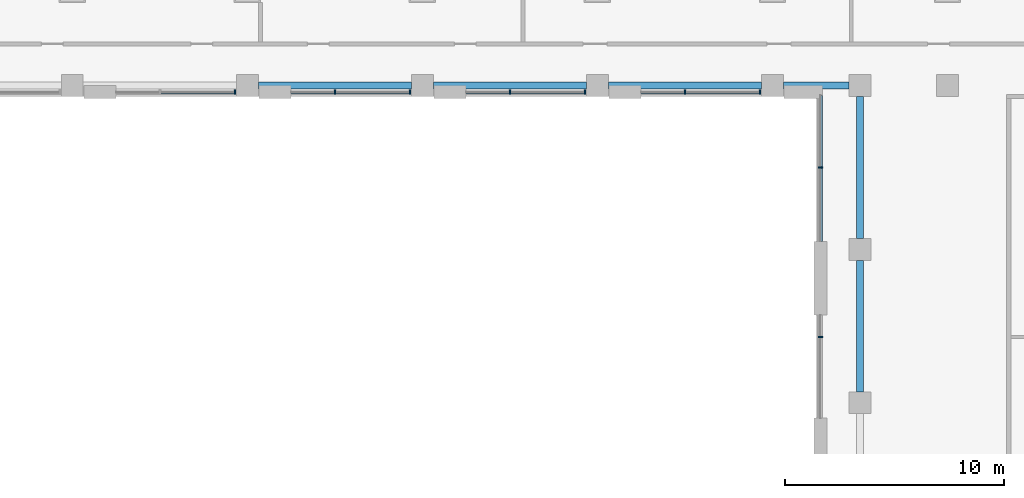
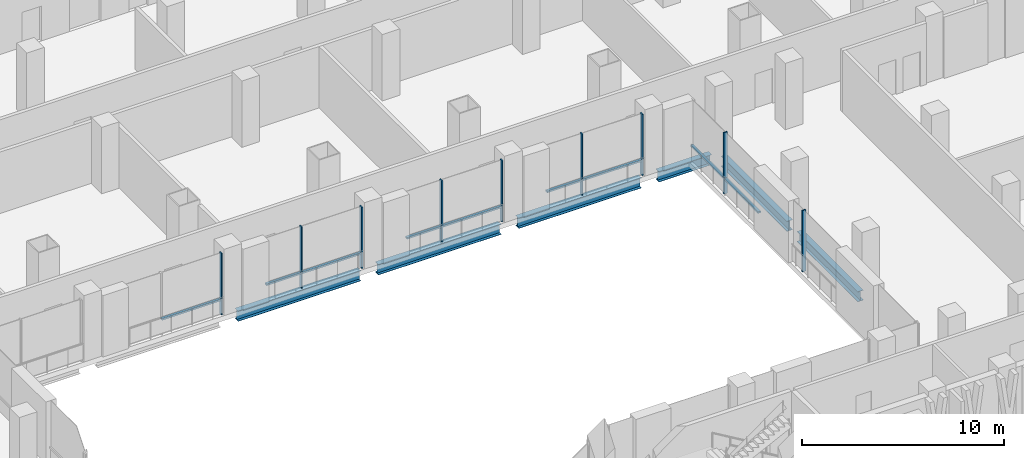
# One storey, part 4 of 26: 18 members, 6 beams, 6 elements without a shape of their own.
"""IFC4 building model written with IfcOpenShell, lengths in metres."""

from ifc_helpers import new_model, si_unit, direction, frame, origin, origin_2d, place, context, subcontext, project, spatial, rectangle, i_section, extrude, material, material_profile, profile_set, type_object, element, aggregate, save


model = new_model("IFC4")

# Units and contexts
model_context = context("Model", 3, precision=1e-05, world=origin(), true_north=direction((0.0, 1.0)))
body_context = subcontext(model_context, "Body", "Model", "MODEL_VIEW")
ifc_project = project(units=[si_unit("LENGTHUNIT", "METRE"), si_unit("AREAUNIT", "SQUARE_METRE"), si_unit("VOLUMEUNIT", "CUBIC_METRE"), si_unit("PLANEANGLEUNIT", "RADIAN"), si_unit("MASSUNIT", "GRAM", prefix="KILO")], contexts=[model_context])

# Site, building, storey
site_placement = place(None, origin())
site = spatial("IfcSite", under=ifc_project, at=site_placement, CompositionType="ELEMENT")
building_placement = place(site_placement, origin())
building = spatial("IfcBuilding", under=site, at=building_placement, Name="Vidyagriha Tower", CompositionType="ELEMENT")
storey_placement = place(building_placement, frame((0.0, 0.0, 6.0)))
storey = spatial("IfcBuildingStorey", under=building, at=storey_placement, Name="L01", CompositionType="ELEMENT", Elevation=6.0)

# Beams
ifc_material_1 = material(Name="Steel ASTM A992 Grade 50", Category="steel")
ifc_material_profile_1 = material_profile(ifc_material_1, i_section(OverallWidth=0.32373046875, OverallDepth=0.612060546875, WebThickness=0.0126953125, FlangeThickness=0.01904296875, at=origin_2d()), Name="W24X104")
ifc_profile_set_1 = profile_set([ifc_material_profile_1], Name="Steel ASTM A992 Grade 50")
beam_type = type_object("IfcBeamType", Name="Atrium edge beam W24X104", PredefinedType="BEAM", material=ifc_profile_set_1)
for number, where, z_axis, x_axis, name in (
    (1, (-5.5, -21.5, -0.60595703125), (1.0, 0.0, 0.0), (0.0, 1.0, 0.0), "st-beam-L01-AT09"),
    (2, (2.5, -21.5, -0.60595703125), (1.0, 0.0, 0.0), (0.0, 1.0, 0.0), "st-beam-L01-AT10"),
    (3, (10.5, -21.5, -0.60595703125), (1.0, 0.0, 0.0), (0.0, 1.0, 0.0), "st-beam-L01-AT11"),
):
    element("IfcBeam", number, at=place(storey_placement, frame(where, z_axis=z_axis, x_axis=x_axis)), inside=storey, type_object=beam_type, Name=name, PredefinedType="BEAM", context=body_context, shape_type="SweptSolid", body=[
        extrude(i_section(OverallWidth=0.32373046875, OverallDepth=0.612060546875, WebThickness=0.0126953125, FlangeThickness=0.01904296875, at=origin_2d()), origin(), (0.0, 0.0, 1.0), 7.0),
    ])
beam_1_placement = place(storey_placement, frame((18.5, -21.5, -0.60595703125), z_axis=(1.0, 0.0, 0.0), x_axis=(0.0, 1.0, 0.0)))
element("IfcBeam", 4, at=beam_1_placement, inside=storey, type_object=beam_type, Name="st-beam-L01-AT12", PredefinedType="BEAM", context=body_context, shape_type="SweptSolid", body=[
    extrude(i_section(OverallWidth=0.32373046875, OverallDepth=0.612060546875, WebThickness=0.0126953125, FlangeThickness=0.01904296875, at=origin_2d()), origin(), (0.0, 0.0, 1.0), 3.0),
])
beam_2_placement = place(storey_placement, frame((22.0, -35.5, -0.60595703125), z_axis=(0.0, 1.0, 0.0), x_axis=(-1.0, 0.0, 0.0)))
element("IfcBeam", 5, at=beam_2_placement, inside=storey, type_object=beam_type, Name="st-beam-L01-AT17", PredefinedType="BEAM", context=body_context, shape_type="SweptSolid", body=[
    extrude(i_section(OverallWidth=0.32373046875, OverallDepth=0.612060546875, WebThickness=0.0126953125, FlangeThickness=0.01904296875, at=origin_2d()), origin(), (0.0, 0.0, 1.0), 6.0),
])
beam_3_placement = place(storey_placement, frame((22.0, -28.5, -0.60595703125), z_axis=(0.0, 1.0, 0.0), x_axis=(-1.0, 0.0, 0.0)))
element("IfcBeam", 6, at=beam_3_placement, inside=storey, type_object=beam_type, Name="st-beam-L01-AT18", PredefinedType="BEAM", context=body_context, shape_type="SweptSolid", body=[
    extrude(i_section(OverallWidth=0.32373046875, OverallDepth=0.612060546875, WebThickness=0.0126953125, FlangeThickness=0.01904296875, at=origin_2d()), origin(), (0.0, 0.0, 1.0), 6.5),
])

# Curtain wall, member
ifc_material_2 = material(Name="Aluminium and glass curtain wall", Category="aluminium")
curtain_wall_type = type_object("IfcCurtainWallType", Name="Atrium screen curtain wall", PredefinedType="USERDEFINED", material=ifc_material_2)
curtain_wall_1_placement = place(storey_placement, origin())
curtain_wall_1 = element("IfcCurtainWall", 7, at=curtain_wall_1_placement, inside=storey, type_object=curtain_wall_type, Name="CW6 atrium screen", ObjectType="UNITISED", PredefinedType="USERDEFINED")
ifc_material_3 = material(Name="Aluminium black anodised", Category="aluminium")
ifc_material_profile_2 = material_profile(ifc_material_3, rectangle(XDim=0.199951171875, YDim=0.070068359375, at=origin_2d()), Name="Mullion 70x200 black aluminium")
ifc_profile_set_2 = profile_set([ifc_material_profile_2], Name="Aluminium black anodised")
member_type_1 = type_object("IfcMemberType", Name="Mullion 70x200 black aluminium", PredefinedType="MULLION", material=ifc_profile_set_2)
member_1_placement = place(storey_placement, frame((-6.56494140625, -21.800048828125, 0.0), z_axis=(0.0, 0.0, 1.0), x_axis=(0.0, 1.0, 0.0)))
member_1 = element("IfcMember", 8, at=member_1_placement, type_object=member_type_1, Name="CW6 mullion 3", PredefinedType="MULLION", context=body_context, shape_type="SweptSolid", body=[
    extrude(rectangle(XDim=0.199951171875, YDim=0.070068359375, at=origin_2d()), origin(), (0.0, 0.0, 1.0), 3.699951171875),
])

# Curtain wall, members
curtain_wall_2_placement = place(storey_placement, origin())
curtain_wall_2 = element("IfcCurtainWall", 9, at=curtain_wall_2_placement, inside=storey, type_object=curtain_wall_type, Name="CW6 atrium screen", ObjectType="UNITISED", PredefinedType="USERDEFINED")
member_2_placement = place(storey_placement, frame((-2.0, -21.800048828125, 0.0), z_axis=(0.0, 0.0, 1.0), x_axis=(0.0, 1.0, 0.0)))
member_2 = element("IfcMember", 10, at=member_2_placement, type_object=member_type_1, Name="CW6 mullion 2", PredefinedType="MULLION", context=body_context, shape_type="SweptSolid", body=[
    extrude(rectangle(XDim=0.199951171875, YDim=0.070068359375, at=origin_2d()), origin(), (0.0, 0.0, 1.0), 3.699951171875),
])
member_3_placement = place(storey_placement, frame((1.43505859375, -21.800048828125, 0.0), z_axis=(0.0, 0.0, 1.0), x_axis=(0.0, 1.0, 0.0)))
member_3 = element("IfcMember", 11, at=member_3_placement, type_object=member_type_1, Name="CW6 mullion 3", PredefinedType="MULLION", context=body_context, shape_type="SweptSolid", body=[
    extrude(rectangle(XDim=0.199951171875, YDim=0.070068359375, at=origin_2d()), origin(), (0.0, 0.0, 1.0), 3.699951171875),
])

curtain_wall_3_placement = place(storey_placement, origin())
curtain_wall_3 = element("IfcCurtainWall", 12, at=curtain_wall_3_placement, inside=storey, type_object=curtain_wall_type, Name="CW6 atrium screen", ObjectType="UNITISED", PredefinedType="USERDEFINED")
member_4_placement = place(storey_placement, frame((6.0, -21.800048828125, 0.0), z_axis=(0.0, 0.0, 1.0), x_axis=(0.0, 1.0, 0.0)))
member_4 = element("IfcMember", 13, at=member_4_placement, type_object=member_type_1, Name="CW6 mullion 2", PredefinedType="MULLION", context=body_context, shape_type="SweptSolid", body=[
    extrude(rectangle(XDim=0.199951171875, YDim=0.070068359375, at=origin_2d()), origin(), (0.0, 0.0, 1.0), 3.699951171875),
])
member_5_placement = place(storey_placement, frame((9.43505859375, -21.800048828125, 0.0), z_axis=(0.0, 0.0, 1.0), x_axis=(0.0, 1.0, 0.0)))
member_5 = element("IfcMember", 14, at=member_5_placement, type_object=member_type_1, Name="CW6 mullion 3", PredefinedType="MULLION", context=body_context, shape_type="SweptSolid", body=[
    extrude(rectangle(XDim=0.199951171875, YDim=0.070068359375, at=origin_2d()), origin(), (0.0, 0.0, 1.0), 3.699951171875),
])

curtain_wall_4_placement = place(storey_placement, origin())
curtain_wall_4 = element("IfcCurtainWall", 15, at=curtain_wall_4_placement, inside=storey, type_object=curtain_wall_type, Name="CW6 atrium screen", ObjectType="UNITISED", PredefinedType="USERDEFINED")
member_6_placement = place(storey_placement, frame((14.0, -21.800048828125, 0.0), z_axis=(0.0, 0.0, 1.0), x_axis=(0.0, 1.0, 0.0)))
member_6 = element("IfcMember", 16, at=member_6_placement, type_object=member_type_1, Name="CW6 mullion 2", PredefinedType="MULLION", context=body_context, shape_type="SweptSolid", body=[
    extrude(rectangle(XDim=0.199951171875, YDim=0.070068359375, at=origin_2d()), origin(), (0.0, 0.0, 1.0), 3.699951171875),
])
member_7_placement = place(storey_placement, frame((17.43505859375, -21.800048828125, 0.0), z_axis=(0.0, 0.0, 1.0), x_axis=(0.0, 1.0, 0.0)))
member_7 = element("IfcMember", 17, at=member_7_placement, type_object=member_type_1, Name="CW6 mullion 3", PredefinedType="MULLION", context=body_context, shape_type="SweptSolid", body=[
    extrude(rectangle(XDim=0.199951171875, YDim=0.070068359375, at=origin_2d()), origin(), (0.0, 0.0, 1.0), 3.699951171875),
])

# Curtain wall, member
curtain_wall_5_placement = place(storey_placement, origin())
curtain_wall_5 = element("IfcCurtainWall", 18, at=curtain_wall_5_placement, inside=storey, type_object=curtain_wall_type, Name="CW6 atrium screen", ObjectType="UNITISED", PredefinedType="USERDEFINED")
member_8_placement = place(storey_placement, frame((20.199951171875, -25.25341796875, 0.0)))
member_8 = element("IfcMember", 19, at=member_8_placement, type_object=member_type_1, Name="CW6 mullion 2", PredefinedType="MULLION", context=body_context, shape_type="SweptSolid", body=[
    extrude(rectangle(XDim=0.199951171875, YDim=0.070068359375, at=origin_2d()), origin(), (0.0, 0.0, 1.0), 3.699951171875),
])

curtain_wall_6_placement = place(storey_placement, origin())
curtain_wall_6 = element("IfcCurtainWall", 20, at=curtain_wall_6_placement, inside=storey, type_object=curtain_wall_type, Name="CW6 atrium screen", ObjectType="UNITISED", PredefinedType="USERDEFINED")
member_9_placement = place(storey_placement, frame((20.199951171875, -33.0, 0.0)))
member_9 = element("IfcMember", 21, at=member_9_placement, type_object=member_type_1, Name="CW6 mullion 2", PredefinedType="MULLION", context=body_context, shape_type="SweptSolid", body=[
    extrude(rectangle(XDim=0.199951171875, YDim=0.070068359375, at=origin_2d()), origin(), (0.0, 0.0, 1.0), 3.699951171875),
])
aggregate(curtain_wall_6, [member_9])

# Member
ifc_material_4 = material(Name="Aluminium black anodised", Category="aluminium")
ifc_material_profile_3 = material_profile(ifc_material_4, rectangle(XDim=0.159912109375, YDim=0.10009765625, at=origin_2d()), Name="Transom 100x160 black aluminium")
ifc_profile_set_3 = profile_set([ifc_material_profile_3], Name="Aluminium black anodised")
member_type_2 = type_object("IfcMemberType", Name="Transom 100x160 black aluminium", PredefinedType="USERDEFINED", material=ifc_profile_set_3)
member_10_placement = place(storey_placement, frame((-9.965087890625, -21.800048828125, 0.89990234375), z_axis=(1.0, 0.0, 0.0), x_axis=(0.0, 1.0, 0.0)))
member_10 = element("IfcMember", 22, at=member_10_placement, type_object=member_type_2, Name="CW6 transom 2.1", ObjectType="TRANSOM", PredefinedType="USERDEFINED", context=body_context, shape_type="SweptSolid", body=[
    extrude(rectangle(XDim=0.159912109375, YDim=0.10009765625, at=origin_2d()), origin(), (0.0, 0.0, 1.0), 3.364990234375),
])

aggregate(curtain_wall_1, [member_1, member_10])

member_11_placement = place(storey_placement, frame((-4.0, -21.800048828125, 0.89990234375), z_axis=(1.0, 0.0, 0.0), x_axis=(0.0, 1.0, 0.0)))
member_11 = element("IfcMember", 23, at=member_11_placement, type_object=member_type_2, Name="CW6 transom 1.1", ObjectType="TRANSOM", PredefinedType="USERDEFINED", context=body_context, shape_type="SweptSolid", body=[
    extrude(rectangle(XDim=0.159912109375, YDim=0.10009765625, at=origin_2d()), origin(), (0.0, 0.0, 1.0), 1.965087890625),
])

member_12_placement = place(storey_placement, frame((-1.965087890625, -21.800048828125, 0.89990234375), z_axis=(1.0, 0.0, 0.0), x_axis=(0.0, 1.0, 0.0)))
member_12 = element("IfcMember", 24, at=member_12_placement, type_object=member_type_2, Name="CW6 transom 2.1", ObjectType="TRANSOM", PredefinedType="USERDEFINED", context=body_context, shape_type="SweptSolid", body=[
    extrude(rectangle(XDim=0.159912109375, YDim=0.10009765625, at=origin_2d()), origin(), (0.0, 0.0, 1.0), 3.364990234375),
])

aggregate(curtain_wall_2, [member_2, member_3, member_11, member_12])

member_13_placement = place(storey_placement, frame((4.0, -21.800048828125, 0.89990234375), z_axis=(1.0, 0.0, 0.0), x_axis=(0.0, 1.0, 0.0)))
member_13 = element("IfcMember", 25, at=member_13_placement, type_object=member_type_2, Name="CW6 transom 1.1", ObjectType="TRANSOM", PredefinedType="USERDEFINED", context=body_context, shape_type="SweptSolid", body=[
    extrude(rectangle(XDim=0.159912109375, YDim=0.10009765625, at=origin_2d()), origin(), (0.0, 0.0, 1.0), 1.965087890625),
])

member_14_placement = place(storey_placement, frame((6.034912109375, -21.800048828125, 0.89990234375), z_axis=(1.0, 0.0, 0.0), x_axis=(0.0, 1.0, 0.0)))
member_14 = element("IfcMember", 26, at=member_14_placement, type_object=member_type_2, Name="CW6 transom 2.1", ObjectType="TRANSOM", PredefinedType="USERDEFINED", context=body_context, shape_type="SweptSolid", body=[
    extrude(rectangle(XDim=0.159912109375, YDim=0.10009765625, at=origin_2d()), origin(), (0.0, 0.0, 1.0), 3.364990234375),
])

aggregate(curtain_wall_3, [member_4, member_5, member_13, member_14])

member_15_placement = place(storey_placement, frame((12.0, -21.800048828125, 0.89990234375), z_axis=(1.0, 0.0, 0.0), x_axis=(0.0, 1.0, 0.0)))
member_15 = element("IfcMember", 27, at=member_15_placement, type_object=member_type_2, Name="CW6 transom 1.1", ObjectType="TRANSOM", PredefinedType="USERDEFINED", context=body_context, shape_type="SweptSolid", body=[
    extrude(rectangle(XDim=0.159912109375, YDim=0.10009765625, at=origin_2d()), origin(), (0.0, 0.0, 1.0), 1.965087890625),
])

member_16_placement = place(storey_placement, frame((14.034912109375, -21.800048828125, 0.89990234375), z_axis=(1.0, 0.0, 0.0), x_axis=(0.0, 1.0, 0.0)))
member_16 = element("IfcMember", 28, at=member_16_placement, type_object=member_type_2, Name="CW6 transom 2.1", ObjectType="TRANSOM", PredefinedType="USERDEFINED", context=body_context, shape_type="SweptSolid", body=[
    extrude(rectangle(XDim=0.159912109375, YDim=0.10009765625, at=origin_2d()), origin(), (0.0, 0.0, 1.0), 3.364990234375),
])

aggregate(curtain_wall_4, [member_6, member_7, member_15, member_16])

member_17_placement = place(storey_placement, frame((20.199951171875, -21.949951171875, 0.89990234375), z_axis=(0.0, -1.0, 0.0), x_axis=(1.0, 0.0, 0.0)))
member_17 = element("IfcMember", 29, at=member_17_placement, type_object=member_type_2, Name="CW6 transom 1.1", ObjectType="TRANSOM", PredefinedType="USERDEFINED", context=body_context, shape_type="SweptSolid", body=[
    extrude(rectangle(XDim=0.159912109375, YDim=0.10009765625, at=origin_2d()), origin(), (0.0, 0.0, 1.0), 3.268310546875),
])

member_18_placement = place(storey_placement, frame((20.199951171875, -25.288330078125, 0.89990234375), z_axis=(0.0, -1.0, 0.0), x_axis=(1.0, 0.0, 0.0)))
member_18 = element("IfcMember", 30, at=member_18_placement, type_object=member_type_2, Name="CW6 transom 2.1", ObjectType="TRANSOM", PredefinedType="USERDEFINED", context=body_context, shape_type="SweptSolid", body=[
    extrude(rectangle(XDim=0.159912109375, YDim=0.10009765625, at=origin_2d()), origin(), (0.0, 0.0, 1.0), 3.33837890625),
])

aggregate(curtain_wall_5, [member_8, member_17, member_18])

save(model, "model.ifc")
